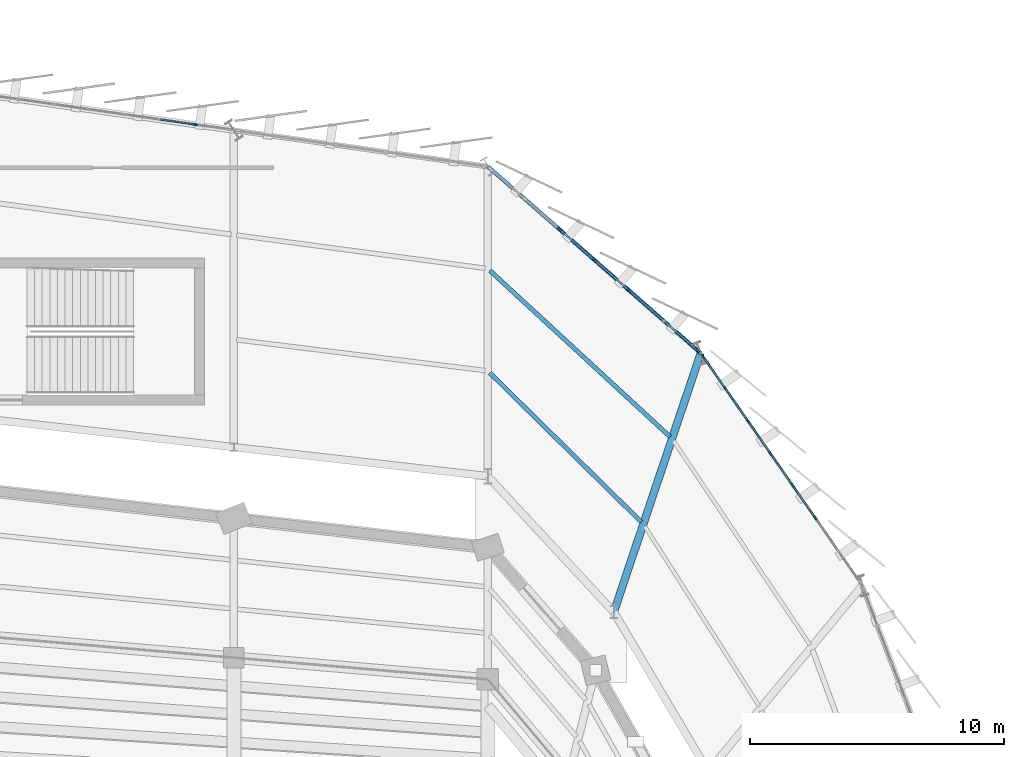
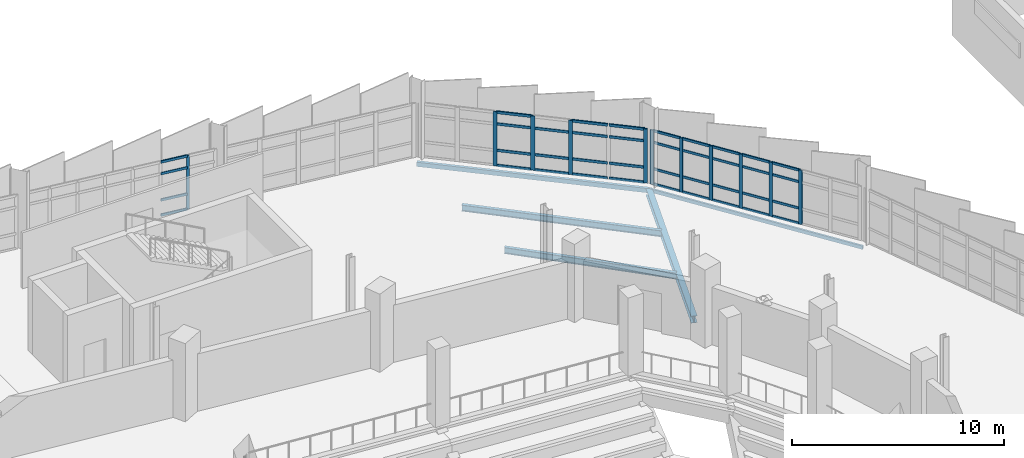
# One storey, part 79 of 134: 50 members, 5 beams, 3 elements without a shape of their own.
"""IFC4 building model written with IfcOpenShell, lengths in metres."""

from ifc_helpers import new_model, si_unit, direction, frame, origin, origin_2d, place, context, subcontext, project, spatial, rectangle, hollow_rectangle, i_section, extrude, material, layer, layer_set, material_profile, profile_set, type_object, element, aggregate, save


model = new_model("IFC4")

# Units and contexts
model_context = context("Model", 3, precision=1e-05, world=origin(), true_north=direction((0.0, 1.0)))
body_context = subcontext(model_context, "Body", "Model", "MODEL_VIEW")
ifc_project = project(units=[si_unit("LENGTHUNIT", "METRE"), si_unit("AREAUNIT", "SQUARE_METRE"), si_unit("VOLUMEUNIT", "CUBIC_METRE"), si_unit("PLANEANGLEUNIT", "RADIAN"), si_unit("MASSUNIT", "GRAM", prefix="KILO")], contexts=[model_context])

# Site, building, storey
site_placement = place(None, origin())
site = spatial("IfcSite", under=ifc_project, at=site_placement, CompositionType="ELEMENT")
building_placement = place(site_placement, origin())
building = spatial("IfcBuilding", under=site, at=building_placement, Name="Sohan Crest Arena", CompositionType="ELEMENT")
storey_placement = place(building_placement, frame((0.0, 0.0, 4.5)))
storey = spatial("IfcBuildingStorey", under=building, at=storey_placement, Name="L01", CompositionType="ELEMENT", Elevation=4.5)

# Curtain wall, member
ifc_material_1 = material(Name="Thermally broken anodised aluminium", Category="aluminium")
ifc_layer_1 = layer(ifc_material_1, 0.18994140625, Name="Thermally broken anodised aluminium")
ifc_layer_set_1 = layer_set([ifc_layer_1], Name="Thermally broken anodised aluminium")
curtain_wall_type_1 = type_object("IfcCurtainWallType", Name="ARC-CW05", PredefinedType="NOTDEFINED", material=ifc_layer_set_1)
curtain_wall_1_placement = place(storey_placement, origin())
curtain_wall_1 = element("IfcCurtainWall", 1, at=curtain_wall_1_placement, inside=storey, type_object=curtain_wall_type_1, Name="Unitised curtain wall CW-044", PredefinedType="NOTDEFINED")
ifc_material_profile_1 = material_profile(ifc_material_1, rectangle(XDim=0.06005859375, YDim=0.159912109375, at=origin_2d()), Name="ALU-MULL 60x160")
ifc_profile_set_1 = profile_set([ifc_material_profile_1], Name="Thermally broken anodised aluminium")
member_type_1 = type_object("IfcMemberType", Name="ARC-CW-ML01", PredefinedType="MULLION", material=ifc_profile_set_1)
member_1_placement = place(storey_placement, frame((156.479248046875, 117.645751953125, 0.0), z_axis=(0.0, 0.0, 1.0), x_axis=(-0.141449808729, -0.989945428602, 0.0)))
member_1 = element("IfcMember", 2, at=member_1_placement, type_object=member_type_1, Name="CW-044 mullion 2", PredefinedType="MULLION", context=body_context, shape_type="SweptSolid", body=[
    extrude(rectangle(XDim=0.06005859375, YDim=0.159912109375, at=origin_2d()), origin(), (0.0, 0.0, 1.0), 3.1201171875),
])

# Curtain wall, members
ifc_layer_2 = layer(ifc_material_1, 0.199951171875, Name="Thermally broken anodised aluminium")
ifc_layer_set_2 = layer_set([ifc_layer_2], Name="Thermally broken anodised aluminium")
curtain_wall_type_2 = type_object("IfcCurtainWallType", Name="ARC-CW02", PredefinedType="NOTDEFINED", material=ifc_layer_set_2)
curtain_wall_2_placement = place(storey_placement, origin())
curtain_wall_2 = element("IfcCurtainWall", 3, at=curtain_wall_2_placement, inside=storey, type_object=curtain_wall_type_2, Name="Unitised curtain wall CW-041", PredefinedType="NOTDEFINED")
ifc_material_profile_2 = material_profile(ifc_material_1, rectangle(XDim=0.06494140625, YDim=0.179931640625, at=origin_2d()), Name="ALU-MULL 65x180")
ifc_profile_set_2 = profile_set([ifc_material_profile_2], Name="Thermally broken anodised aluminium")
member_type_2 = type_object("IfcMemberType", Name="ARC-CW-ML02", PredefinedType="MULLION", material=ifc_profile_set_2)
member_2_placement = place(storey_placement, frame((180.8984375, 102.15087890625, 0.0), z_axis=(0.0, 0.0, 1.0), x_axis=(-0.821013728019, -0.570908450107, 0.0)))
member_2 = element("IfcMember", 4, at=member_2_placement, type_object=member_type_2, Name="CW-041 mullion 3", PredefinedType="MULLION", context=body_context, shape_type="SweptSolid", body=[
    extrude(rectangle(XDim=0.06494140625, YDim=0.179931640625, at=origin_2d()), origin(), (0.0, 0.0, 1.0), 3.1201171875),
])
member_3_placement = place(storey_placement, frame((180.01025390625, 103.42822265625, 0.0), z_axis=(0.0, 0.0, 1.0), x_axis=(-0.821013728019, -0.570908450107, 0.0)))
member_3 = element("IfcMember", 5, at=member_3_placement, type_object=member_type_2, Name="CW-041 mullion 4", PredefinedType="MULLION", context=body_context, shape_type="SweptSolid", body=[
    extrude(rectangle(XDim=0.06494140625, YDim=0.179931640625, at=origin_2d()), origin(), (0.0, 0.0, 1.0), 3.1201171875),
])
member_4_placement = place(storey_placement, frame((179.121826171875, 104.705810546875, 0.0), z_axis=(0.0, 0.0, 1.0), x_axis=(-0.821013728019, -0.570908450107, 0.0)))
member_4 = element("IfcMember", 6, at=member_4_placement, type_object=member_type_2, Name="CW-041 mullion 5", PredefinedType="MULLION", context=body_context, shape_type="SweptSolid", body=[
    extrude(rectangle(XDim=0.06494140625, YDim=0.179931640625, at=origin_2d()), origin(), (0.0, 0.0, 1.0), 3.1201171875),
])
member_5_placement = place(storey_placement, frame((178.233642578125, 105.983154296875, 0.0), z_axis=(0.0, 0.0, 1.0), x_axis=(-0.821013728019, -0.570908450107, 0.0)))
member_5 = element("IfcMember", 7, at=member_5_placement, type_object=member_type_2, Name="CW-041 mullion 6", PredefinedType="MULLION", context=body_context, shape_type="SweptSolid", body=[
    extrude(rectangle(XDim=0.06494140625, YDim=0.179931640625, at=origin_2d()), origin(), (0.0, 0.0, 1.0), 3.1201171875),
])
member_6_placement = place(storey_placement, frame((177.34521484375, 107.260498046875, 0.0), z_axis=(0.0, 0.0, 1.0), x_axis=(-0.821013728019, -0.570908450107, 0.0)))
member_6 = element("IfcMember", 8, at=member_6_placement, type_object=member_type_2, Name="CW-041 mullion 7", PredefinedType="MULLION", context=body_context, shape_type="SweptSolid", body=[
    extrude(rectangle(XDim=0.06494140625, YDim=0.179931640625, at=origin_2d()), origin(), (0.0, 0.0, 1.0), 3.1201171875),
])
member_7_placement = place(storey_placement, frame((176.4755859375, 108.51123046875, 0.0), z_axis=(0.0, 0.0, 1.0), x_axis=(-0.821013728019, -0.570908450107, 0.0)))
member_7 = element("IfcMember", 9, at=member_7_placement, type_object=member_type_2, Name="CW-041 mullion 8", PredefinedType="MULLION", context=body_context, shape_type="SweptSolid", body=[
    extrude(rectangle(XDim=0.06494140625, YDim=0.179931640625, at=origin_2d()), origin(), (0.0, 0.0, 1.0), 3.1201171875),
])

ifc_layer_3 = layer(ifc_material_1, 0.219970703125, Name="Thermally broken anodised aluminium")
ifc_layer_set_3 = layer_set([ifc_layer_3], Name="Thermally broken anodised aluminium")
curtain_wall_type_3 = type_object("IfcCurtainWallType", Name="ARC-CW03", PredefinedType="NOTDEFINED", material=ifc_layer_set_3)
curtain_wall_3_placement = place(storey_placement, origin())
curtain_wall_3 = element("IfcCurtainWall", 10, at=curtain_wall_3_placement, inside=storey, type_object=curtain_wall_type_3, Name="Unitised curtain wall CW-042", PredefinedType="NOTDEFINED")
ifc_material_profile_3 = material_profile(ifc_material_1, rectangle(XDim=0.070068359375, YDim=0.199951171875, at=origin_2d()), Name="ALU-MULL 70x200")
ifc_profile_set_3 = profile_set([ifc_material_profile_3], Name="Thermally broken anodised aluminium")
member_type_3 = type_object("IfcMemberType", Name="ARC-CW-ML03", PredefinedType="MULLION", material=ifc_profile_set_3)
member_8_placement = place(storey_placement, frame((176.2587890625, 108.754150390625, 0.0), z_axis=(0.0, 0.0, 1.0), x_axis=(-0.659511551903, -0.751694427881, 0.0)))
member_8 = element("IfcMember", 11, at=member_8_placement, type_object=member_type_3, Name="CW-042 mullion 1", PredefinedType="MULLION", context=body_context, shape_type="SweptSolid", body=[
    extrude(rectangle(XDim=0.070068359375, YDim=0.199951171875, at=origin_2d()), origin(), (0.0, 0.0, 1.0), 3.1201171875),
])
member_9_placement = place(storey_placement, frame((173.555908203125, 111.125244140625, 0.0), z_axis=(0.0, 0.0, 1.0), x_axis=(-0.659511551903, -0.751694427881, 0.0)))
member_9 = element("IfcMember", 12, at=member_9_placement, type_object=member_type_3, Name="CW-042 mullion 3", PredefinedType="MULLION", context=body_context, shape_type="SweptSolid", body=[
    extrude(rectangle(XDim=0.070068359375, YDim=0.199951171875, at=origin_2d()), origin(), (0.0, 0.0, 1.0), 3.1201171875),
])
member_10_placement = place(storey_placement, frame((172.19140625, 112.322509765625, 0.0), z_axis=(0.0, 0.0, 1.0), x_axis=(-0.659511551903, -0.751694427881, 0.0)))
member_10 = element("IfcMember", 13, at=member_10_placement, type_object=member_type_3, Name="CW-042 mullion 4", PredefinedType="MULLION", context=body_context, shape_type="SweptSolid", body=[
    extrude(rectangle(XDim=0.070068359375, YDim=0.199951171875, at=origin_2d()), origin(), (0.0, 0.0, 1.0), 3.1201171875),
])
member_11_placement = place(storey_placement, frame((170.826904296875, 113.519775390625, 0.0), z_axis=(0.0, 0.0, 1.0), x_axis=(-0.659511551903, -0.751694427881, 0.0)))
member_11 = element("IfcMember", 14, at=member_11_placement, type_object=member_type_3, Name="CW-042 mullion 5", PredefinedType="MULLION", context=body_context, shape_type="SweptSolid", body=[
    extrude(rectangle(XDim=0.070068359375, YDim=0.199951171875, at=origin_2d()), origin(), (0.0, 0.0, 1.0), 3.1201171875),
])

# Member
ifc_material_profile_4 = material_profile(ifc_material_1, rectangle(XDim=0.06494140625, YDim=0.139892578125, at=origin_2d()), Name="ALU-TRAN 65x140")
ifc_profile_set_4 = profile_set([ifc_material_profile_4], Name="Thermally broken anodised aluminium")
member_type_4 = type_object("IfcMemberType", Name="ARC-CW-TR02", PredefinedType="USERDEFINED", material=ifc_profile_set_4)
member_12_placement = place(storey_placement, frame((180.8798828125, 102.177490234375, 0.032470703125), z_axis=(-0.570843765752, 0.82105870381, 0.0), x_axis=(-0.82105870381, -0.570843765752, 0.0)))
member_12 = element("IfcMember", 15, at=member_12_placement, type_object=member_type_4, Name="CW-041 transom 3.1", ObjectType="TRANSOM", PredefinedType="USERDEFINED", context=body_context, shape_type="SweptSolid", body=[
    extrude(rectangle(XDim=0.06494140625, YDim=0.139892578125, at=origin_2d()), origin(), (0.0, 0.0, 1.0), 1.490966796875),
])

member_13_placement = place(storey_placement, frame((180.8798828125, 102.177490234375, 0.89990234375), z_axis=(-0.570843765752, 0.82105870381, 0.0), x_axis=(-0.82105870381, -0.570843765752, 0.0)))
member_13 = element("IfcMember", 16, at=member_13_placement, type_object=member_type_4, Name="CW-041 transom 3.2", ObjectType="TRANSOM", PredefinedType="USERDEFINED", context=body_context, shape_type="SweptSolid", body=[
    extrude(rectangle(XDim=0.06494140625, YDim=0.139892578125, at=origin_2d()), origin(), (0.0, 0.0, 1.0), 1.490966796875),
])

member_14_placement = place(storey_placement, frame((180.8798828125, 102.177490234375, 2.419921875), z_axis=(-0.570843765752, 0.82105870381, 0.0), x_axis=(-0.82105870381, -0.570843765752, 0.0)))
member_14 = element("IfcMember", 17, at=member_14_placement, type_object=member_type_4, Name="CW-041 transom 3.3", ObjectType="TRANSOM", PredefinedType="USERDEFINED", context=body_context, shape_type="SweptSolid", body=[
    extrude(rectangle(XDim=0.06494140625, YDim=0.139892578125, at=origin_2d()), origin(), (0.0, 0.0, 1.0), 1.490966796875),
])

member_15_placement = place(storey_placement, frame((180.8798828125, 102.177490234375, 3.08740234375), z_axis=(-0.570843765752, 0.82105870381, 0.0), x_axis=(-0.82105870381, -0.570843765752, 0.0)))
member_15 = element("IfcMember", 18, at=member_15_placement, type_object=member_type_4, Name="CW-041 transom 3.4", ObjectType="TRANSOM", PredefinedType="USERDEFINED", context=body_context, shape_type="SweptSolid", body=[
    extrude(rectangle(XDim=0.06494140625, YDim=0.139892578125, at=origin_2d()), origin(), (0.0, 0.0, 1.0), 1.490966796875),
])

member_16_placement = place(storey_placement, frame((179.99169921875, 103.455078125, 0.032470703125), z_axis=(-0.571030901288, 0.820928565574, 0.0), x_axis=(-0.820928565574, -0.571030901288, 0.0)))
member_16 = element("IfcMember", 19, at=member_16_placement, type_object=member_type_4, Name="CW-041 transom 4.1", ObjectType="TRANSOM", PredefinedType="USERDEFINED", context=body_context, shape_type="SweptSolid", body=[
    extrude(rectangle(XDim=0.06494140625, YDim=0.139892578125, at=origin_2d()), origin(), (0.0, 0.0, 1.0), 1.49072265625),
])

member_17_placement = place(storey_placement, frame((179.99169921875, 103.455078125, 0.89990234375), z_axis=(-0.571030901288, 0.820928565574, 0.0), x_axis=(-0.820928565574, -0.571030901288, 0.0)))
member_17 = element("IfcMember", 20, at=member_17_placement, type_object=member_type_4, Name="CW-041 transom 4.2", ObjectType="TRANSOM", PredefinedType="USERDEFINED", context=body_context, shape_type="SweptSolid", body=[
    extrude(rectangle(XDim=0.06494140625, YDim=0.139892578125, at=origin_2d()), origin(), (0.0, 0.0, 1.0), 1.49072265625),
])

member_18_placement = place(storey_placement, frame((179.99169921875, 103.455078125, 2.419921875), z_axis=(-0.571030901288, 0.820928565574, 0.0), x_axis=(-0.820928565574, -0.571030901288, 0.0)))
member_18 = element("IfcMember", 21, at=member_18_placement, type_object=member_type_4, Name="CW-041 transom 4.3", ObjectType="TRANSOM", PredefinedType="USERDEFINED", context=body_context, shape_type="SweptSolid", body=[
    extrude(rectangle(XDim=0.06494140625, YDim=0.139892578125, at=origin_2d()), origin(), (0.0, 0.0, 1.0), 1.49072265625),
])

member_19_placement = place(storey_placement, frame((179.99169921875, 103.455078125, 3.08740234375), z_axis=(-0.571030901288, 0.820928565574, 0.0), x_axis=(-0.820928565574, -0.571030901288, 0.0)))
member_19 = element("IfcMember", 22, at=member_19_placement, type_object=member_type_4, Name="CW-041 transom 4.4", ObjectType="TRANSOM", PredefinedType="USERDEFINED", context=body_context, shape_type="SweptSolid", body=[
    extrude(rectangle(XDim=0.06494140625, YDim=0.139892578125, at=origin_2d()), origin(), (0.0, 0.0, 1.0), 1.49072265625),
])

member_20_placement = place(storey_placement, frame((179.103271484375, 104.732421875, 0.032470703125), z_axis=(-0.570843765752, 0.82105870381, 0.0), x_axis=(-0.82105870381, -0.570843765752, 0.0)))
member_20 = element("IfcMember", 23, at=member_20_placement, type_object=member_type_4, Name="CW-041 transom 5.1", ObjectType="TRANSOM", PredefinedType="USERDEFINED", context=body_context, shape_type="SweptSolid", body=[
    extrude(rectangle(XDim=0.06494140625, YDim=0.139892578125, at=origin_2d()), origin(), (0.0, 0.0, 1.0), 1.490966796875),
])

member_21_placement = place(storey_placement, frame((179.103271484375, 104.732421875, 0.89990234375), z_axis=(-0.570843765752, 0.82105870381, 0.0), x_axis=(-0.82105870381, -0.570843765752, 0.0)))
member_21 = element("IfcMember", 24, at=member_21_placement, type_object=member_type_4, Name="CW-041 transom 5.2", ObjectType="TRANSOM", PredefinedType="USERDEFINED", context=body_context, shape_type="SweptSolid", body=[
    extrude(rectangle(XDim=0.06494140625, YDim=0.139892578125, at=origin_2d()), origin(), (0.0, 0.0, 1.0), 1.490966796875),
])

member_22_placement = place(storey_placement, frame((179.103271484375, 104.732421875, 2.419921875), z_axis=(-0.570843765752, 0.82105870381, 0.0), x_axis=(-0.82105870381, -0.570843765752, 0.0)))
member_22 = element("IfcMember", 25, at=member_22_placement, type_object=member_type_4, Name="CW-041 transom 5.3", ObjectType="TRANSOM", PredefinedType="USERDEFINED", context=body_context, shape_type="SweptSolid", body=[
    extrude(rectangle(XDim=0.06494140625, YDim=0.139892578125, at=origin_2d()), origin(), (0.0, 0.0, 1.0), 1.490966796875),
])

member_23_placement = place(storey_placement, frame((179.103271484375, 104.732421875, 3.08740234375), z_axis=(-0.570843765752, 0.82105870381, 0.0), x_axis=(-0.82105870381, -0.570843765752, 0.0)))
member_23 = element("IfcMember", 26, at=member_23_placement, type_object=member_type_4, Name="CW-041 transom 5.4", ObjectType="TRANSOM", PredefinedType="USERDEFINED", context=body_context, shape_type="SweptSolid", body=[
    extrude(rectangle(XDim=0.06494140625, YDim=0.139892578125, at=origin_2d()), origin(), (0.0, 0.0, 1.0), 1.490966796875),
])

member_24_placement = place(storey_placement, frame((178.215087890625, 106.009765625, 0.032470703125), z_axis=(-0.570954142451, 0.82098195304, 0.0), x_axis=(-0.82098195304, -0.570954142451, 0.0)))
member_24 = element("IfcMember", 27, at=member_24_placement, type_object=member_type_4, Name="CW-041 transom 6.1", ObjectType="TRANSOM", PredefinedType="USERDEFINED", context=body_context, shape_type="SweptSolid", body=[
    extrude(rectangle(XDim=0.06494140625, YDim=0.139892578125, at=origin_2d()), origin(), (0.0, 0.0, 1.0), 1.490966796875),
])

member_25_placement = place(storey_placement, frame((178.215087890625, 106.009765625, 0.89990234375), z_axis=(-0.570954142451, 0.82098195304, 0.0), x_axis=(-0.82098195304, -0.570954142451, 0.0)))
member_25 = element("IfcMember", 28, at=member_25_placement, type_object=member_type_4, Name="CW-041 transom 6.2", ObjectType="TRANSOM", PredefinedType="USERDEFINED", context=body_context, shape_type="SweptSolid", body=[
    extrude(rectangle(XDim=0.06494140625, YDim=0.139892578125, at=origin_2d()), origin(), (0.0, 0.0, 1.0), 1.490966796875),
])

member_26_placement = place(storey_placement, frame((178.215087890625, 106.009765625, 2.419921875), z_axis=(-0.570954142451, 0.82098195304, 0.0), x_axis=(-0.82098195304, -0.570954142451, 0.0)))
member_26 = element("IfcMember", 29, at=member_26_placement, type_object=member_type_4, Name="CW-041 transom 6.3", ObjectType="TRANSOM", PredefinedType="USERDEFINED", context=body_context, shape_type="SweptSolid", body=[
    extrude(rectangle(XDim=0.06494140625, YDim=0.139892578125, at=origin_2d()), origin(), (0.0, 0.0, 1.0), 1.490966796875),
])

member_27_placement = place(storey_placement, frame((178.215087890625, 106.009765625, 3.08740234375), z_axis=(-0.570954142451, 0.82098195304, 0.0), x_axis=(-0.82098195304, -0.570954142451, 0.0)))
member_27 = element("IfcMember", 30, at=member_27_placement, type_object=member_type_4, Name="CW-041 transom 6.4", ObjectType="TRANSOM", PredefinedType="USERDEFINED", context=body_context, shape_type="SweptSolid", body=[
    extrude(rectangle(XDim=0.06494140625, YDim=0.139892578125, at=origin_2d()), origin(), (0.0, 0.0, 1.0), 1.490966796875),
])

member_28_placement = place(storey_placement, frame((177.32666015625, 107.287353515625, 0.032470703125), z_axis=(-0.57089769755, 0.821021204922, 0.0), x_axis=(-0.821021204922, -0.57089769755, 0.0)))
member_28 = element("IfcMember", 31, at=member_28_placement, type_object=member_type_4, Name="CW-041 transom 7.1", ObjectType="TRANSOM", PredefinedType="USERDEFINED", context=body_context, shape_type="SweptSolid", body=[
    extrude(rectangle(XDim=0.06494140625, YDim=0.139892578125, at=origin_2d()), origin(), (0.0, 0.0, 1.0), 1.458251953125),
])

member_29_placement = place(storey_placement, frame((177.32666015625, 107.287353515625, 0.89990234375), z_axis=(-0.57089769755, 0.821021204922, 0.0), x_axis=(-0.821021204922, -0.57089769755, 0.0)))
member_29 = element("IfcMember", 32, at=member_29_placement, type_object=member_type_4, Name="CW-041 transom 7.2", ObjectType="TRANSOM", PredefinedType="USERDEFINED", context=body_context, shape_type="SweptSolid", body=[
    extrude(rectangle(XDim=0.06494140625, YDim=0.139892578125, at=origin_2d()), origin(), (0.0, 0.0, 1.0), 1.458251953125),
])

member_30_placement = place(storey_placement, frame((177.32666015625, 107.287353515625, 2.419921875), z_axis=(-0.57089769755, 0.821021204922, 0.0), x_axis=(-0.821021204922, -0.57089769755, 0.0)))
member_30 = element("IfcMember", 33, at=member_30_placement, type_object=member_type_4, Name="CW-041 transom 7.3", ObjectType="TRANSOM", PredefinedType="USERDEFINED", context=body_context, shape_type="SweptSolid", body=[
    extrude(rectangle(XDim=0.06494140625, YDim=0.139892578125, at=origin_2d()), origin(), (0.0, 0.0, 1.0), 1.458251953125),
])

member_31_placement = place(storey_placement, frame((177.32666015625, 107.287353515625, 3.08740234375), z_axis=(-0.57089769755, 0.821021204922, 0.0), x_axis=(-0.821021204922, -0.57089769755, 0.0)))
member_31 = element("IfcMember", 34, at=member_31_placement, type_object=member_type_4, Name="CW-041 transom 7.4", ObjectType="TRANSOM", PredefinedType="USERDEFINED", context=body_context, shape_type="SweptSolid", body=[
    extrude(rectangle(XDim=0.06494140625, YDim=0.139892578125, at=origin_2d()), origin(), (0.0, 0.0, 1.0), 1.458251953125),
])

aggregate(curtain_wall_2, [member_2, member_3, member_4, member_5, member_6, member_7, member_12, member_13, member_14, member_15, member_16, member_17, member_18, member_19, member_20, member_21, member_22, member_23, member_24, member_25, member_26, member_27, member_28, member_29, member_30, member_31])

member_32_placement = place(storey_placement, frame((156.44970703125, 117.650146484375, 0.032470703125), z_axis=(-0.989942237377, 0.141472140922, 0.0), x_axis=(-0.141472140922, -0.989942237377, 0.0)))
member_32 = element("IfcMember", 35, at=member_32_placement, type_object=member_type_4, Name="CW-044 transom 2.1", ObjectType="TRANSOM", PredefinedType="USERDEFINED", context=body_context, shape_type="SweptSolid", body=[
    extrude(rectangle(XDim=0.06494140625, YDim=0.139892578125, at=origin_2d()), origin(), (0.0, 0.0, 1.0), 1.345947265625),
])

member_33_placement = place(storey_placement, frame((156.44970703125, 117.650146484375, 0.89990234375), z_axis=(-0.989942237377, 0.141472140922, 0.0), x_axis=(-0.141472140922, -0.989942237377, 0.0)))
member_33 = element("IfcMember", 36, at=member_33_placement, type_object=member_type_4, Name="CW-044 transom 2.2", ObjectType="TRANSOM", PredefinedType="USERDEFINED", context=body_context, shape_type="SweptSolid", body=[
    extrude(rectangle(XDim=0.06494140625, YDim=0.139892578125, at=origin_2d()), origin(), (0.0, 0.0, 1.0), 1.345947265625),
])

member_34_placement = place(storey_placement, frame((156.44970703125, 117.650146484375, 2.419921875), z_axis=(-0.989942237377, 0.141472140922, 0.0), x_axis=(-0.141472140922, -0.989942237377, 0.0)))
member_34 = element("IfcMember", 37, at=member_34_placement, type_object=member_type_4, Name="CW-044 transom 2.3", ObjectType="TRANSOM", PredefinedType="USERDEFINED", context=body_context, shape_type="SweptSolid", body=[
    extrude(rectangle(XDim=0.06494140625, YDim=0.139892578125, at=origin_2d()), origin(), (0.0, 0.0, 1.0), 1.345947265625),
])

member_35_placement = place(storey_placement, frame((156.44970703125, 117.650146484375, 3.08740234375), z_axis=(-0.989942237377, 0.141472140922, 0.0), x_axis=(-0.141472140922, -0.989942237377, 0.0)))
member_35 = element("IfcMember", 38, at=member_35_placement, type_object=member_type_4, Name="CW-044 transom 2.4", ObjectType="TRANSOM", PredefinedType="USERDEFINED", context=body_context, shape_type="SweptSolid", body=[
    extrude(rectangle(XDim=0.06494140625, YDim=0.139892578125, at=origin_2d()), origin(), (0.0, 0.0, 1.0), 1.345947265625),
])

aggregate(curtain_wall_1, [member_1, member_32, member_33, member_34, member_35])

ifc_material_profile_5 = material_profile(ifc_material_1, rectangle(XDim=0.070068359375, YDim=0.14990234375, at=origin_2d()), Name="ALU-TRAN 70x150")
ifc_profile_set_5 = profile_set([ifc_material_profile_5], Name="Thermally broken anodised aluminium")
member_type_5 = type_object("IfcMemberType", Name="ARC-CW-TR03", PredefinedType="USERDEFINED", material=ifc_profile_set_5)
member_36_placement = place(storey_placement, frame((176.232421875, 108.777099609375, 0.034912109375), z_axis=(-0.751709450725, 0.659494428855, 0.0), x_axis=(-0.659494428855, -0.751709450725, 0.0)))
member_36 = element("IfcMember", 39, at=member_36_placement, type_object=member_type_5, Name="CW-042 transom 1.1", ObjectType="TRANSOM", PredefinedType="USERDEFINED", context=body_context, shape_type="SweptSolid", body=[
    extrude(rectangle(XDim=0.070068359375, YDim=0.14990234375, at=origin_2d()), origin(), (0.0, 0.0, 1.0), 1.710205078125),
])

member_37_placement = place(storey_placement, frame((176.232421875, 108.777099609375, 0.89990234375), z_axis=(-0.751709450725, 0.659494428855, 0.0), x_axis=(-0.659494428855, -0.751709450725, 0.0)))
member_37 = element("IfcMember", 40, at=member_37_placement, type_object=member_type_5, Name="CW-042 transom 1.2", ObjectType="TRANSOM", PredefinedType="USERDEFINED", context=body_context, shape_type="SweptSolid", body=[
    extrude(rectangle(XDim=0.070068359375, YDim=0.14990234375, at=origin_2d()), origin(), (0.0, 0.0, 1.0), 1.710205078125),
])

member_38_placement = place(storey_placement, frame((176.232421875, 108.777099609375, 2.419921875), z_axis=(-0.751709450725, 0.659494428855, 0.0), x_axis=(-0.659494428855, -0.751709450725, 0.0)))
member_38 = element("IfcMember", 41, at=member_38_placement, type_object=member_type_5, Name="CW-042 transom 1.3", ObjectType="TRANSOM", PredefinedType="USERDEFINED", context=body_context, shape_type="SweptSolid", body=[
    extrude(rectangle(XDim=0.070068359375, YDim=0.14990234375, at=origin_2d()), origin(), (0.0, 0.0, 1.0), 1.710205078125),
])

member_39_placement = place(storey_placement, frame((176.232421875, 108.777099609375, 3.0849609375), z_axis=(-0.751709450725, 0.659494428855, 0.0), x_axis=(-0.659494428855, -0.751709450725, 0.0)))
member_39 = element("IfcMember", 42, at=member_39_placement, type_object=member_type_5, Name="CW-042 transom 1.4", ObjectType="TRANSOM", PredefinedType="USERDEFINED", context=body_context, shape_type="SweptSolid", body=[
    extrude(rectangle(XDim=0.070068359375, YDim=0.14990234375, at=origin_2d()), origin(), (0.0, 0.0, 1.0), 1.710205078125),
])

member_40_placement = place(storey_placement, frame((174.894287109375, 109.951171875, 0.034912109375), z_axis=(-0.751692200275, 0.659514090863, 0.0), x_axis=(-0.659514090863, -0.751692200275, 0.0)))
member_40 = element("IfcMember", 43, at=member_40_placement, type_object=member_type_5, Name="CW-042 transom 2.1", ObjectType="TRANSOM", PredefinedType="USERDEFINED", context=body_context, shape_type="SweptSolid", body=[
    extrude(rectangle(XDim=0.070068359375, YDim=0.14990234375, at=origin_2d()), origin(), (0.0, 0.0, 1.0), 1.745361328125),
])

member_41_placement = place(storey_placement, frame((174.894287109375, 109.951171875, 0.89990234375), z_axis=(-0.751692200275, 0.659514090863, 0.0), x_axis=(-0.659514090863, -0.751692200275, 0.0)))
member_41 = element("IfcMember", 44, at=member_41_placement, type_object=member_type_5, Name="CW-042 transom 2.2", ObjectType="TRANSOM", PredefinedType="USERDEFINED", context=body_context, shape_type="SweptSolid", body=[
    extrude(rectangle(XDim=0.070068359375, YDim=0.14990234375, at=origin_2d()), origin(), (0.0, 0.0, 1.0), 1.745361328125),
])

member_42_placement = place(storey_placement, frame((174.894287109375, 109.951171875, 2.419921875), z_axis=(-0.751692200275, 0.659514090863, 0.0), x_axis=(-0.659514090863, -0.751692200275, 0.0)))
member_42 = element("IfcMember", 45, at=member_42_placement, type_object=member_type_5, Name="CW-042 transom 2.3", ObjectType="TRANSOM", PredefinedType="USERDEFINED", context=body_context, shape_type="SweptSolid", body=[
    extrude(rectangle(XDim=0.070068359375, YDim=0.14990234375, at=origin_2d()), origin(), (0.0, 0.0, 1.0), 1.745361328125),
])

member_43_placement = place(storey_placement, frame((174.894287109375, 109.951171875, 3.0849609375), z_axis=(-0.751692200275, 0.659514090863, 0.0), x_axis=(-0.659514090863, -0.751692200275, 0.0)))
member_43 = element("IfcMember", 46, at=member_43_placement, type_object=member_type_5, Name="CW-042 transom 2.4", ObjectType="TRANSOM", PredefinedType="USERDEFINED", context=body_context, shape_type="SweptSolid", body=[
    extrude(rectangle(XDim=0.070068359375, YDim=0.14990234375, at=origin_2d()), origin(), (0.0, 0.0, 1.0), 1.745361328125),
])

member_44_placement = place(storey_placement, frame((173.52978515625, 111.1484375, 0.034912109375), z_axis=(-0.751761546135, 0.659435044377, 0.0), x_axis=(-0.659435044377, -0.751761546135, 0.0)))
member_44 = element("IfcMember", 47, at=member_44_placement, type_object=member_type_5, Name="CW-042 transom 3.1", ObjectType="TRANSOM", PredefinedType="USERDEFINED", context=body_context, shape_type="SweptSolid", body=[
    extrude(rectangle(XDim=0.070068359375, YDim=0.14990234375, at=origin_2d()), origin(), (0.0, 0.0, 1.0), 1.745361328125),
])

member_45_placement = place(storey_placement, frame((173.52978515625, 111.1484375, 0.89990234375), z_axis=(-0.751761546135, 0.659435044377, 0.0), x_axis=(-0.659435044377, -0.751761546135, 0.0)))
member_45 = element("IfcMember", 48, at=member_45_placement, type_object=member_type_5, Name="CW-042 transom 3.2", ObjectType="TRANSOM", PredefinedType="USERDEFINED", context=body_context, shape_type="SweptSolid", body=[
    extrude(rectangle(XDim=0.070068359375, YDim=0.14990234375, at=origin_2d()), origin(), (0.0, 0.0, 1.0), 1.745361328125),
])

member_46_placement = place(storey_placement, frame((173.52978515625, 111.1484375, 2.419921875), z_axis=(-0.751761546135, 0.659435044377, 0.0), x_axis=(-0.659435044377, -0.751761546135, 0.0)))
member_46 = element("IfcMember", 49, at=member_46_placement, type_object=member_type_5, Name="CW-042 transom 3.3", ObjectType="TRANSOM", PredefinedType="USERDEFINED", context=body_context, shape_type="SweptSolid", body=[
    extrude(rectangle(XDim=0.070068359375, YDim=0.14990234375, at=origin_2d()), origin(), (0.0, 0.0, 1.0), 1.745361328125),
])

member_47_placement = place(storey_placement, frame((172.165283203125, 112.345703125, 0.034912109375), z_axis=(-0.751761546135, 0.659435044377, 0.0), x_axis=(-0.659435044377, -0.751761546135, 0.0)))
member_47 = element("IfcMember", 50, at=member_47_placement, type_object=member_type_5, Name="CW-042 transom 4.1", ObjectType="TRANSOM", PredefinedType="USERDEFINED", context=body_context, shape_type="SweptSolid", body=[
    extrude(rectangle(XDim=0.070068359375, YDim=0.14990234375, at=origin_2d()), origin(), (0.0, 0.0, 1.0), 1.745361328125),
])

member_48_placement = place(storey_placement, frame((172.165283203125, 112.345703125, 0.89990234375), z_axis=(-0.751761546135, 0.659435044377, 0.0), x_axis=(-0.659435044377, -0.751761546135, 0.0)))
member_48 = element("IfcMember", 51, at=member_48_placement, type_object=member_type_5, Name="CW-042 transom 4.2", ObjectType="TRANSOM", PredefinedType="USERDEFINED", context=body_context, shape_type="SweptSolid", body=[
    extrude(rectangle(XDim=0.070068359375, YDim=0.14990234375, at=origin_2d()), origin(), (0.0, 0.0, 1.0), 1.745361328125),
])

member_49_placement = place(storey_placement, frame((172.165283203125, 112.345703125, 2.419921875), z_axis=(-0.751761546135, 0.659435044377, 0.0), x_axis=(-0.659435044377, -0.751761546135, 0.0)))
member_49 = element("IfcMember", 52, at=member_49_placement, type_object=member_type_5, Name="CW-042 transom 4.3", ObjectType="TRANSOM", PredefinedType="USERDEFINED", context=body_context, shape_type="SweptSolid", body=[
    extrude(rectangle(XDim=0.070068359375, YDim=0.14990234375, at=origin_2d()), origin(), (0.0, 0.0, 1.0), 1.745361328125),
])

member_50_placement = place(storey_placement, frame((172.165283203125, 112.345703125, 3.0849609375), z_axis=(-0.751761546135, 0.659435044377, 0.0), x_axis=(-0.659435044377, -0.751761546135, 0.0)))
member_50 = element("IfcMember", 53, at=member_50_placement, type_object=member_type_5, Name="CW-042 transom 4.4", ObjectType="TRANSOM", PredefinedType="USERDEFINED", context=body_context, shape_type="SweptSolid", body=[
    extrude(rectangle(XDim=0.070068359375, YDim=0.14990234375, at=origin_2d()), origin(), (0.0, 0.0, 1.0), 1.745361328125),
])

aggregate(curtain_wall_3, [member_8, member_9, member_10, member_11, member_36, member_37, member_38, member_39, member_40, member_41, member_42, member_43, member_44, member_45, member_46, member_47, member_48, member_49, member_50])

# Beams
ifc_material_2 = material(Name="Steel S355", Category="steel")
ifc_material_profile_6 = material_profile(ifc_material_2, i_section(OverallWidth=0.169921875, OverallDepth=0.360107421875, WebThickness=0.008056640625, FlangeThickness=0.0126953125, at=origin_2d()), Name="IPE 360")
ifc_profile_set_6 = profile_set([ifc_material_profile_6], Name="Steel S355")
beam_type_1 = type_object("IfcBeamType", Name="STR-BM-B02", PredefinedType="JOIST", material=ifc_profile_set_6)
beam_1_placement = place(storey_placement, frame((174.0458984375, 101.9951171875, -0.455078125), z_axis=(-0.712580271708, 0.701590590283, 0.0), x_axis=(-0.701590590283, -0.712580271708, 0.0)))
element("IfcBeam", 54, at=beam_1_placement, inside=storey, type_object=beam_type_1, Name="Structural beam J-L01-1210", PredefinedType="JOIST", context=body_context, shape_type="SweptSolid", body=[
    extrude(i_section(OverallWidth=0.169921875, OverallDepth=0.360107421875, WebThickness=0.008056640625, FlangeThickness=0.0126953125, at=origin_2d()), origin(), (0.0, 0.0, 1.0), 8.375244140625),
])
beam_2_placement = place(storey_placement, frame((175.173095703125, 105.35693359375, -0.455078125), z_axis=(-0.735036224245, 0.678027837959, 0.0), x_axis=(-0.678027837959, -0.735036224245, 0.0)))
element("IfcBeam", 55, at=beam_2_placement, inside=storey, type_object=beam_type_1, Name="Structural beam J-L01-1211", PredefinedType="JOIST", context=body_context, shape_type="SweptSolid", body=[
    extrude(i_section(OverallWidth=0.169921875, OverallDepth=0.360107421875, WebThickness=0.008056640625, FlangeThickness=0.0126953125, at=origin_2d()), origin(), (0.0, 0.0, 1.0), 9.648681640625),
])
ifc_material_profile_7 = material_profile(ifc_material_2, i_section(OverallWidth=0.300048828125, OverallDepth=0.39990234375, WebThickness=0.013427734375, FlangeThickness=0.02392578125, at=origin_2d()), Name="HEB 400")
ifc_profile_set_7 = profile_set([ifc_material_profile_7], Name="Steel S355")
beam_type_2 = type_object("IfcBeamType", Name="STR-BM-B13", PredefinedType="BEAM", material=ifc_profile_set_7)
beam_3_placement = place(storey_placement, frame((172.9609375, 98.452880859375, -0.47509765625), z_axis=(0.318297981778, 0.947990714509, 0.0), x_axis=(-0.947990714509, 0.318297981778, 0.0)))
element("IfcBeam", 56, at=beam_3_placement, inside=storey, type_object=beam_type_2, Name="Structural beam G-L01-1207", PredefinedType="BEAM", context=body_context, shape_type="SweptSolid", body=[
    extrude(i_section(OverallWidth=0.300048828125, OverallDepth=0.39990234375, WebThickness=0.013427734375, FlangeThickness=0.02392578125, at=origin_2d()), origin(), (0.0, 0.0, 1.0), 10.751220703125),
])
ifc_material_profile_8 = material_profile(ifc_material_2, hollow_rectangle(XDim=0.10009765625, YDim=0.199951171875, WallThickness=0.008056640625, at=origin_2d()), Name="RHS 200x100x8")
ifc_profile_set_8 = profile_set([ifc_material_profile_8], Name="Steel S355")
beam_type_3 = type_object("IfcBeamType", Name="STR-BM-SP01", PredefinedType="SPANDREL", material=ifc_profile_set_8)
beam_4_placement = place(storey_placement, frame((182.7490234375, 99.489013671875, -0.375), z_axis=(-0.570857282329, 0.8210493062, 0.0), x_axis=(-0.8210493062, -0.570857282329, 0.0)))
element("IfcBeam", 57, at=beam_4_placement, inside=storey, type_object=beam_type_3, Name="Structural beam SP-L01-1204", PredefinedType="SPANDREL", context=body_context, shape_type="SweptSolid", body=[
    extrude(hollow_rectangle(XDim=0.10009765625, YDim=0.199951171875, WallThickness=0.008056640625, at=origin_2d()), origin(), (0.0, 0.0, 1.0), 11.151611328125),
])
ifc_material_profile_9 = material_profile(ifc_material_2, hollow_rectangle(XDim=0.14990234375, YDim=0.25, WallThickness=0.010009765625, at=origin_2d()), Name="RHS 250x150x10")
ifc_profile_set_9 = profile_set([ifc_material_profile_9], Name="Steel S355")
beam_type_4 = type_object("IfcBeamType", Name="STR-BM-SP02", PredefinedType="SPANDREL", material=ifc_profile_set_9)
beam_5_placement = place(storey_placement, frame((176.383056640625, 108.64501953125, -0.39990234375), z_axis=(-0.751695897988, 0.659509876308, 0.0), x_axis=(-0.659509876308, -0.751695897988, 0.0)))
element("IfcBeam", 58, at=beam_5_placement, inside=storey, type_object=beam_type_4, Name="Structural beam SP-L01-1209", PredefinedType="SPANDREL", context=body_context, shape_type="SweptSolid", body=[
    extrude(hollow_rectangle(XDim=0.14990234375, YDim=0.25, WallThickness=0.010009765625, at=origin_2d()), origin(), (0.0, 0.0, 1.0), 11.152099609375),
])

save(model, "model.ifc")
